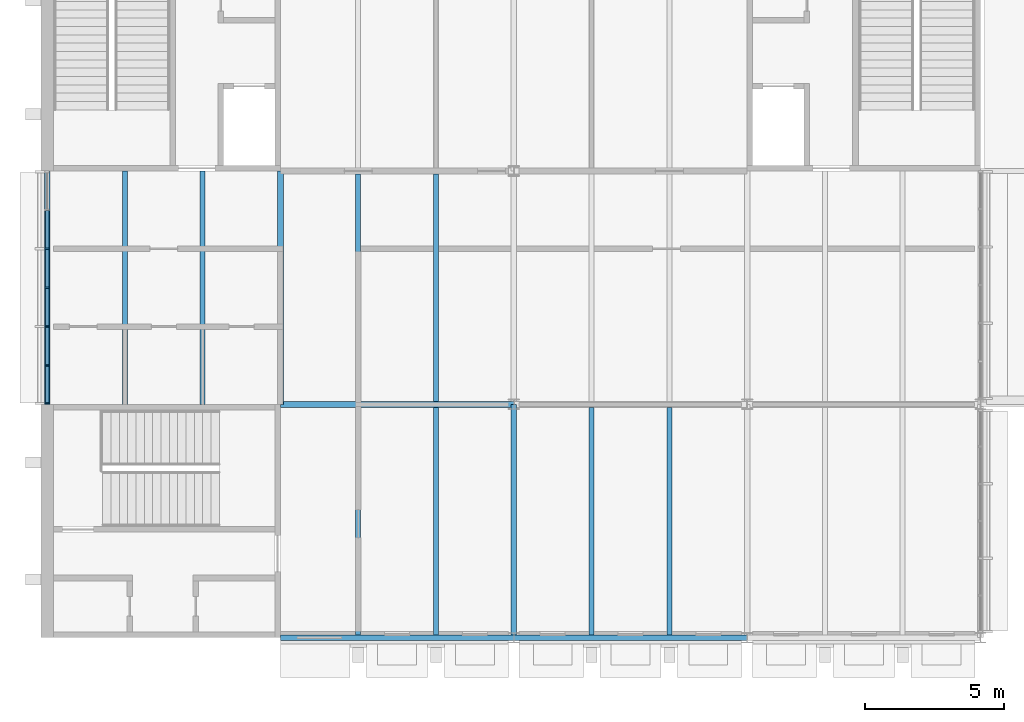
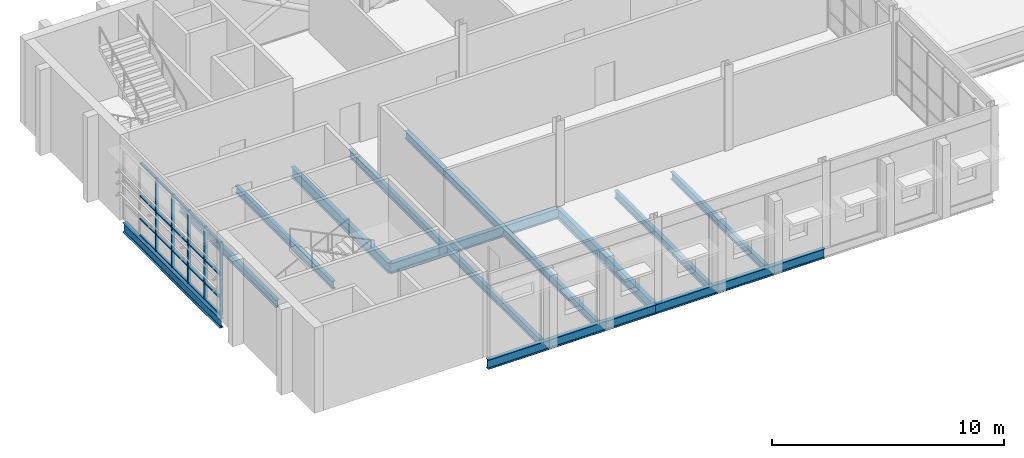
# One storey, part 3 of 29: 25 members, 14 beams, 1 element without a shape of its own.
"""IFC4 building model written with IfcOpenShell, lengths in metres."""

from ifc_helpers import new_model, si_unit, direction, frame, origin, origin_2d, place, context, subcontext, project, spatial, rectangle, i_section, extrude, material, layer, layer_set, material_profile, profile_set, type_object, element, aggregate, save


model = new_model("IFC4")

# Units and contexts
model_context = context("Model", 3, precision=1e-05, world=origin(), true_north=direction((0.0, 1.0)))
body_context = subcontext(model_context, "Body", "Model", "MODEL_VIEW")
ifc_project = project(units=[si_unit("LENGTHUNIT", "METRE"), si_unit("AREAUNIT", "SQUARE_METRE"), si_unit("VOLUMEUNIT", "CUBIC_METRE"), si_unit("PLANEANGLEUNIT", "RADIAN"), si_unit("MASSUNIT", "GRAM", prefix="KILO")], contexts=[model_context])

# Site, building, storey
site_placement = place(None, origin())
site = spatial("IfcSite", under=ifc_project, at=site_placement, CompositionType="ELEMENT")
building_placement = place(site_placement, origin())
building = spatial("IfcBuilding", under=site, at=building_placement, Name="Ardhachandra Cancer Care Centre", CompositionType="ELEMENT")
storey_placement = place(building_placement, frame((0.0, 0.0, 13.5)))
storey = spatial("IfcBuildingStorey", under=building, at=storey_placement, Name="L03", CompositionType="ELEMENT", Elevation=13.5)

# Beams
ifc_material_1 = material(Name="Steel E350 (IS 2062)", Category="steel")
ifc_material_profile_1 = material_profile(ifc_material_1, i_section(OverallWidth=0.179931640625, OverallDepth=0.39990234375, WebThickness=0.008544921875, FlangeThickness=0.013427734375, FilletRadius=0.02099609375, at=origin_2d()), Name="NPB 400x180x66.30")
ifc_profile_set_1 = profile_set([ifc_material_profile_1], Name="Steel E350 (IS 2062)")
beam_type_1 = type_object("IfcBeamType", Name="Beam NPB 400x180x66.30", PredefinedType="BEAM", material=ifc_profile_set_1)
for number, where, z_axis, x_axis, name in (
    (1, (13.60009765625, 79.800048828125, -0.35009765625), (0.0, 1.0, 0.0), (-1.0, 0.0, 0.0), "Secondary J1-K1@2800"),
    (2, (16.39990234375, 79.800048828125, -0.35009765625), (0.0, 1.0, 0.0), (-1.0, 0.0, 0.0), "Secondary J1-K1@5600"),
):
    element("IfcBeam", number, at=place(storey_placement, frame(where, z_axis=z_axis, x_axis=x_axis)), inside=storey, type_object=beam_type_1, Name=name, PredefinedType="BEAM", context=body_context, shape_type="SweptSolid", body=[
        extrude(i_section(OverallWidth=0.179931640625, OverallDepth=0.39990234375, WebThickness=0.008544921875, FlangeThickness=0.013427734375, FilletRadius=0.02099609375, at=origin_2d()), origin(), (0.0, 0.0, 1.0), 8.39990234375),
    ])
beam_1_placement = place(storey_placement, frame((22.0, 71.5, -0.35009765625), z_axis=(0.0, 1.0, 0.0), x_axis=(-1.0, 0.0, 0.0)))
element("IfcBeam", 3, at=beam_1_placement, inside=storey, type_object=beam_type_1, Name="Secondary H2-J2@2800", PredefinedType="BEAM", context=body_context, shape_type="SweptSolid", body=[
    extrude(i_section(OverallWidth=0.179931640625, OverallDepth=0.39990234375, WebThickness=0.008544921875, FlangeThickness=0.013427734375, FilletRadius=0.02099609375, at=origin_2d()), origin(), (0.0, 0.0, 1.0), 8.195068359375),
])
beam_2_placement = place(storey_placement, frame((22.0, 79.905029296875, -0.35009765625), z_axis=(0.0, 1.0, 0.0), x_axis=(-1.0, 0.0, 0.0)))
element("IfcBeam", 4, at=beam_2_placement, inside=storey, type_object=beam_type_1, Name="Secondary J2-K2@2800", PredefinedType="BEAM", context=body_context, shape_type="SweptSolid", body=[
    extrude(i_section(OverallWidth=0.179931640625, OverallDepth=0.39990234375, WebThickness=0.008544921875, FlangeThickness=0.013427734375, FilletRadius=0.02099609375, at=origin_2d()), origin(), (0.0, 0.0, 1.0), 8.18994140625),
])
beam_3_placement = place(storey_placement, frame((24.800048828125, 71.5, -0.35009765625), z_axis=(0.0, 1.0, 0.0), x_axis=(-1.0, 0.0, 0.0)))
element("IfcBeam", 5, at=beam_3_placement, inside=storey, type_object=beam_type_1, Name="Secondary H2-J2@5600", PredefinedType="BEAM", context=body_context, shape_type="SweptSolid", body=[
    extrude(i_section(OverallWidth=0.179931640625, OverallDepth=0.39990234375, WebThickness=0.008544921875, FlangeThickness=0.013427734375, FilletRadius=0.02099609375, at=origin_2d()), origin(), (0.0, 0.0, 1.0), 8.195068359375),
])
beam_4_placement = place(storey_placement, frame((24.800048828125, 79.905029296875, -0.35009765625), z_axis=(0.0, 1.0, 0.0), x_axis=(-1.0, 0.0, 0.0)))
element("IfcBeam", 6, at=beam_4_placement, inside=storey, type_object=beam_type_1, Name="Secondary J2-K2@5600", PredefinedType="BEAM", context=body_context, shape_type="SweptSolid", body=[
    extrude(i_section(OverallWidth=0.179931640625, OverallDepth=0.39990234375, WebThickness=0.008544921875, FlangeThickness=0.013427734375, FilletRadius=0.02099609375, at=origin_2d()), origin(), (0.0, 0.0, 1.0), 8.18994140625),
])
for number, where, z_axis, x_axis, name in (
    (7, (30.39990234375, 71.5, -0.35009765625), (0.0, 1.0, 0.0), (-1.0, 0.0, 0.0), "Secondary H3-J3@2800"),
    (8, (33.199951171875, 71.5, -0.35009765625), (0.0, 1.0, 0.0), (-1.0, 0.0, 0.0), "Secondary H3-J3@5600"),
):
    element("IfcBeam", number, at=place(storey_placement, frame(where, z_axis=z_axis, x_axis=x_axis)), inside=storey, type_object=beam_type_1, Name=name, PredefinedType="BEAM", context=body_context, shape_type="SweptSolid", body=[
        extrude(i_section(OverallWidth=0.179931640625, OverallDepth=0.39990234375, WebThickness=0.008544921875, FlangeThickness=0.013427734375, FilletRadius=0.02099609375, at=origin_2d()), origin(), (0.0, 0.0, 1.0), 8.195068359375),
    ])
ifc_material_2 = material(Name="Steel E350 (IS 2062)", Category="steel")
ifc_material_profile_2 = material_profile(ifc_material_2, i_section(OverallWidth=0.199951171875, OverallDepth=0.5, WebThickness=0.01025390625, FlangeThickness=0.01611328125, FilletRadius=0.02099609375, at=origin_2d()), Name="NPB 500x200x90.68")
ifc_profile_set_2 = profile_set([ifc_material_profile_2], Name="Steel E350 (IS 2062)")
beam_type_2 = type_object("IfcBeamType", Name="Beam NPB 500x200x90.68", PredefinedType="BEAM", material=ifc_profile_set_2)
beam_5_placement = place(storey_placement, frame((19.199951171875, 71.39990234375, -0.39990234375), z_axis=(1.0, 0.0, 0.0), x_axis=(0.0, 1.0, 0.0)))
element("IfcBeam", 9, at=beam_5_placement, inside=storey, type_object=beam_type_2, Name="Edge girder H2-H3", PredefinedType="BEAM", context=body_context, shape_type="SweptSolid", body=[
    extrude(i_section(OverallWidth=0.199951171875, OverallDepth=0.5, WebThickness=0.01025390625, FlangeThickness=0.01611328125, FilletRadius=0.02099609375, at=origin_2d()), origin(), (0.0, 0.0, 1.0), 8.400146484375),
])
for number, where, z_axis, x_axis, name in (
    (10, (27.60009765625, 71.39990234375, -0.39990234375), (1.0, 0.0, 0.0), (0.0, 1.0, 0.0), "Edge girder H3-H4"),
    (11, (10.800048828125, 79.800048828125, -0.39990234375), (0.0, 1.0, 0.0), (-1.0, 0.0, 0.0), "Edge girder J1-K1"),
):
    element("IfcBeam", number, at=place(storey_placement, frame(where, z_axis=z_axis, x_axis=x_axis)), inside=storey, type_object=beam_type_2, Name=name, PredefinedType="BEAM", context=body_context, shape_type="SweptSolid", body=[
        extrude(i_section(OverallWidth=0.199951171875, OverallDepth=0.5, WebThickness=0.01025390625, FlangeThickness=0.01611328125, FilletRadius=0.02099609375, at=origin_2d()), origin(), (0.0, 0.0, 1.0), 8.39990234375),
    ])
ifc_material_3 = material(Name="Steel E350 (IS 2062)", Category="steel")
ifc_material_profile_3 = material_profile(ifc_material_3, i_section(OverallWidth=0.2099609375, OverallDepth=0.550048828125, WebThickness=0.010986328125, FlangeThickness=0.01708984375, FilletRadius=0.02392578125, at=origin_2d()), Name="NPB 550x210x105.52")
ifc_profile_set_3 = profile_set([ifc_material_profile_3], Name="Steel E350 (IS 2062)")
beam_type_3 = type_object("IfcBeamType", Name="Beam NPB 550x210x105.52", PredefinedType="BEAM", material=ifc_profile_set_3)
beam_6_placement = place(storey_placement, frame((19.199951171875, 79.800048828125, -0.425048828125), z_axis=(1.0, 0.0, 0.0), x_axis=(0.0, 1.0, 0.0)))
element("IfcBeam", 12, at=beam_6_placement, inside=storey, type_object=beam_type_3, Name="Girder J2-J3", PredefinedType="BEAM", context=body_context, shape_type="SweptSolid", body=[
    extrude(i_section(OverallWidth=0.2099609375, OverallDepth=0.550048828125, WebThickness=0.010986328125, FlangeThickness=0.01708984375, FilletRadius=0.02392578125, at=origin_2d()), origin(), (0.0, 0.0, 1.0), 8.400146484375),
])
beam_7_placement = place(storey_placement, frame((19.199951171875, 79.800048828125, -0.425048828125), z_axis=(0.0, 1.0, 0.0), x_axis=(-1.0, 0.0, 0.0)))
element("IfcBeam", 13, at=beam_7_placement, inside=storey, type_object=beam_type_3, Name="Girder J2-K2", PredefinedType="BEAM", context=body_context, shape_type="SweptSolid", body=[
    extrude(i_section(OverallWidth=0.2099609375, OverallDepth=0.550048828125, WebThickness=0.010986328125, FlangeThickness=0.01708984375, FilletRadius=0.02392578125, at=origin_2d()), origin(), (0.0, 0.0, 1.0), 8.39990234375),
])
beam_8_placement = place(storey_placement, frame((27.60009765625, 71.39990234375, -0.425048828125), z_axis=(0.0, 1.0, 0.0), x_axis=(-1.0, 0.0, 0.0)))
element("IfcBeam", 14, at=beam_8_placement, inside=storey, type_object=beam_type_3, Name="Girder H3-J3", PredefinedType="BEAM", context=body_context, shape_type="SweptSolid", body=[
    extrude(i_section(OverallWidth=0.2099609375, OverallDepth=0.550048828125, WebThickness=0.010986328125, FlangeThickness=0.01708984375, FilletRadius=0.02392578125, at=origin_2d()), origin(), (0.0, 0.0, 1.0), 8.400146484375),
])

# Curtain wall, members
ifc_material_4 = material(Name="Aluminium extrusion", Category="aluminium")
ifc_layer = layer(ifc_material_4, 0.14990234375)
ifc_layer_set = layer_set([ifc_layer], Name="Aluminium extrusion")
curtain_wall_type = type_object("IfcCurtainWallType", Name="Curtain wall run", PredefinedType="NOTDEFINED", material=ifc_layer_set)
curtain_wall_placement = place(storey_placement, origin())
curtain_wall = element("IfcCurtainWall", 15, at=curtain_wall_placement, inside=storey, type_object=curtain_wall_type, Name="Curtain wall L03 w/0010800_0079800", PredefinedType="NOTDEFINED")
ifc_material_5 = material(Name="Aluminium extrusion", Category="aluminium")
ifc_material_profile_4 = material_profile(ifc_material_5, rectangle(XDim=0.159912109375, YDim=0.06005859375, at=origin_2d()), Name="Curtain wall mullion 60 x 160")
ifc_profile_set_4 = profile_set([ifc_material_profile_4], Name="Aluminium extrusion")
member_type_1 = type_object("IfcMemberType", Name="Curtain wall mullion 60 x 160", PredefinedType="MULLION", material=ifc_profile_set_4)
member_1_placement = place(storey_placement, frame((10.800048828125, 79.830078125, 0.0), z_axis=(0.0, 0.0, 1.0), x_axis=(-1.0, 0.0, 0.0)))
member_1 = element("IfcMember", 16, at=member_1_placement, type_object=member_type_1, Name="CW mullion 1", PredefinedType="MULLION", context=body_context, shape_type="SweptSolid", body=[
    extrude(rectangle(XDim=0.159912109375, YDim=0.06005859375, at=origin_2d()), origin(), (0.0, 0.0, 1.0), 3.85009765625),
])
member_2_placement = place(storey_placement, frame((10.800048828125, 81.199951171875, 0.0), z_axis=(0.0, 0.0, 1.0), x_axis=(-1.0, 0.0, 0.0)))
member_2 = element("IfcMember", 17, at=member_2_placement, type_object=member_type_1, Name="CW mullion 2", PredefinedType="MULLION", context=body_context, shape_type="SweptSolid", body=[
    extrude(rectangle(XDim=0.159912109375, YDim=0.06005859375, at=origin_2d()), origin(), (0.0, 0.0, 1.0), 3.85009765625),
])
member_3_placement = place(storey_placement, frame((10.800048828125, 82.60009765625, 0.0), z_axis=(0.0, 0.0, 1.0), x_axis=(-1.0, 0.0, 0.0)))
member_3 = element("IfcMember", 18, at=member_3_placement, type_object=member_type_1, Name="CW mullion 3", PredefinedType="MULLION", context=body_context, shape_type="SweptSolid", body=[
    extrude(rectangle(XDim=0.159912109375, YDim=0.06005859375, at=origin_2d()), origin(), (0.0, 0.0, 1.0), 3.85009765625),
])
member_4_placement = place(storey_placement, frame((10.800048828125, 84.0, 0.0), z_axis=(0.0, 0.0, 1.0), x_axis=(-1.0, 0.0, 0.0)))
member_4 = element("IfcMember", 19, at=member_4_placement, type_object=member_type_1, Name="CW mullion 4", PredefinedType="MULLION", context=body_context, shape_type="SweptSolid", body=[
    extrude(rectangle(XDim=0.159912109375, YDim=0.06005859375, at=origin_2d()), origin(), (0.0, 0.0, 1.0), 3.85009765625),
])
member_5_placement = place(storey_placement, frame((10.800048828125, 85.39990234375, 0.0), z_axis=(0.0, 0.0, 1.0), x_axis=(-1.0, 0.0, 0.0)))
member_5 = element("IfcMember", 20, at=member_5_placement, type_object=member_type_1, Name="CW mullion 5", PredefinedType="MULLION", context=body_context, shape_type="SweptSolid", body=[
    extrude(rectangle(XDim=0.159912109375, YDim=0.06005859375, at=origin_2d()), origin(), (0.0, 0.0, 1.0), 3.85009765625),
])
ifc_material_6 = material(Name="Aluminium extrusion", Category="aluminium")
ifc_material_profile_5 = material_profile(ifc_material_6, rectangle(XDim=0.1201171875, YDim=0.06005859375, at=origin_2d()), Name="Curtain wall transom 60 x 120")
ifc_profile_set_5 = profile_set([ifc_material_profile_5], Name="Aluminium extrusion")
member_type_2 = type_object("IfcMemberType", Name="Curtain wall transom 60 x 120", PredefinedType="USERDEFINED", material=ifc_profile_set_5)
member_6_placement = place(storey_placement, frame((10.800048828125, 79.860107421875, 0.030029296875), z_axis=(0.0, 1.0, 0.0), x_axis=(-1.0, 0.0, 0.0)))
member_6 = element("IfcMember", 21, at=member_6_placement, type_object=member_type_2, Name="CW transom 1.1", ObjectType="TRANSOM", PredefinedType="USERDEFINED", context=body_context, shape_type="SweptSolid", body=[
    extrude(rectangle(XDim=0.1201171875, YDim=0.06005859375, at=origin_2d()), origin(), (0.0, 0.0, 1.0), 1.309814453125),
])
member_7_placement = place(storey_placement, frame((10.800048828125, 79.860107421875, 0.89990234375), z_axis=(0.0, 1.0, 0.0), x_axis=(-1.0, 0.0, 0.0)))
member_7 = element("IfcMember", 22, at=member_7_placement, type_object=member_type_2, Name="CW transom 1.2", ObjectType="TRANSOM", PredefinedType="USERDEFINED", context=body_context, shape_type="SweptSolid", body=[
    extrude(rectangle(XDim=0.1201171875, YDim=0.06005859375, at=origin_2d()), origin(), (0.0, 0.0, 1.0), 1.309814453125),
])
member_8_placement = place(storey_placement, frame((10.800048828125, 79.860107421875, 2.10009765625), z_axis=(0.0, 1.0, 0.0), x_axis=(-1.0, 0.0, 0.0)))
member_8 = element("IfcMember", 23, at=member_8_placement, type_object=member_type_2, Name="CW transom 1.3", ObjectType="TRANSOM", PredefinedType="USERDEFINED", context=body_context, shape_type="SweptSolid", body=[
    extrude(rectangle(XDim=0.1201171875, YDim=0.06005859375, at=origin_2d()), origin(), (0.0, 0.0, 1.0), 1.309814453125),
])
member_9_placement = place(storey_placement, frame((10.800048828125, 79.860107421875, 3.820068359375), z_axis=(0.0, 1.0, 0.0), x_axis=(-1.0, 0.0, 0.0)))
member_9 = element("IfcMember", 24, at=member_9_placement, type_object=member_type_2, Name="CW transom 1.4", ObjectType="TRANSOM", PredefinedType="USERDEFINED", context=body_context, shape_type="SweptSolid", body=[
    extrude(rectangle(XDim=0.1201171875, YDim=0.06005859375, at=origin_2d()), origin(), (0.0, 0.0, 1.0), 1.309814453125),
])
member_10_placement = place(storey_placement, frame((10.800048828125, 81.22998046875, 0.030029296875), z_axis=(0.0, 1.0, 0.0), x_axis=(-1.0, 0.0, 0.0)))
member_10 = element("IfcMember", 25, at=member_10_placement, type_object=member_type_2, Name="CW transom 2.1", ObjectType="TRANSOM", PredefinedType="USERDEFINED", context=body_context, shape_type="SweptSolid", body=[
    extrude(rectangle(XDim=0.1201171875, YDim=0.06005859375, at=origin_2d()), origin(), (0.0, 0.0, 1.0), 1.340087890625),
])
member_11_placement = place(storey_placement, frame((10.800048828125, 81.22998046875, 0.89990234375), z_axis=(0.0, 1.0, 0.0), x_axis=(-1.0, 0.0, 0.0)))
member_11 = element("IfcMember", 26, at=member_11_placement, type_object=member_type_2, Name="CW transom 2.2", ObjectType="TRANSOM", PredefinedType="USERDEFINED", context=body_context, shape_type="SweptSolid", body=[
    extrude(rectangle(XDim=0.1201171875, YDim=0.06005859375, at=origin_2d()), origin(), (0.0, 0.0, 1.0), 1.340087890625),
])
member_12_placement = place(storey_placement, frame((10.800048828125, 81.22998046875, 2.10009765625), z_axis=(0.0, 1.0, 0.0), x_axis=(-1.0, 0.0, 0.0)))
member_12 = element("IfcMember", 27, at=member_12_placement, type_object=member_type_2, Name="CW transom 2.3", ObjectType="TRANSOM", PredefinedType="USERDEFINED", context=body_context, shape_type="SweptSolid", body=[
    extrude(rectangle(XDim=0.1201171875, YDim=0.06005859375, at=origin_2d()), origin(), (0.0, 0.0, 1.0), 1.340087890625),
])
member_13_placement = place(storey_placement, frame((10.800048828125, 81.22998046875, 3.820068359375), z_axis=(0.0, 1.0, 0.0), x_axis=(-1.0, 0.0, 0.0)))
member_13 = element("IfcMember", 28, at=member_13_placement, type_object=member_type_2, Name="CW transom 2.4", ObjectType="TRANSOM", PredefinedType="USERDEFINED", context=body_context, shape_type="SweptSolid", body=[
    extrude(rectangle(XDim=0.1201171875, YDim=0.06005859375, at=origin_2d()), origin(), (0.0, 0.0, 1.0), 1.340087890625),
])
member_14_placement = place(storey_placement, frame((10.800048828125, 82.6298828125, 0.030029296875), z_axis=(0.0, 1.0, 0.0), x_axis=(-1.0, 0.0, 0.0)))
member_14 = element("IfcMember", 29, at=member_14_placement, type_object=member_type_2, Name="CW transom 3.1", ObjectType="TRANSOM", PredefinedType="USERDEFINED", context=body_context, shape_type="SweptSolid", body=[
    extrude(rectangle(XDim=0.1201171875, YDim=0.06005859375, at=origin_2d()), origin(), (0.0, 0.0, 1.0), 1.340087890625),
])
member_15_placement = place(storey_placement, frame((10.800048828125, 82.6298828125, 0.89990234375), z_axis=(0.0, 1.0, 0.0), x_axis=(-1.0, 0.0, 0.0)))
member_15 = element("IfcMember", 30, at=member_15_placement, type_object=member_type_2, Name="CW transom 3.2", ObjectType="TRANSOM", PredefinedType="USERDEFINED", context=body_context, shape_type="SweptSolid", body=[
    extrude(rectangle(XDim=0.1201171875, YDim=0.06005859375, at=origin_2d()), origin(), (0.0, 0.0, 1.0), 1.340087890625),
])
member_16_placement = place(storey_placement, frame((10.800048828125, 82.6298828125, 2.10009765625), z_axis=(0.0, 1.0, 0.0), x_axis=(-1.0, 0.0, 0.0)))
member_16 = element("IfcMember", 31, at=member_16_placement, type_object=member_type_2, Name="CW transom 3.3", ObjectType="TRANSOM", PredefinedType="USERDEFINED", context=body_context, shape_type="SweptSolid", body=[
    extrude(rectangle(XDim=0.1201171875, YDim=0.06005859375, at=origin_2d()), origin(), (0.0, 0.0, 1.0), 1.340087890625),
])
member_17_placement = place(storey_placement, frame((10.800048828125, 82.6298828125, 3.820068359375), z_axis=(0.0, 1.0, 0.0), x_axis=(-1.0, 0.0, 0.0)))
member_17 = element("IfcMember", 32, at=member_17_placement, type_object=member_type_2, Name="CW transom 3.4", ObjectType="TRANSOM", PredefinedType="USERDEFINED", context=body_context, shape_type="SweptSolid", body=[
    extrude(rectangle(XDim=0.1201171875, YDim=0.06005859375, at=origin_2d()), origin(), (0.0, 0.0, 1.0), 1.340087890625),
])
member_18_placement = place(storey_placement, frame((10.800048828125, 84.030029296875, 0.030029296875), z_axis=(0.0, 1.0, 0.0), x_axis=(-1.0, 0.0, 0.0)))
member_18 = element("IfcMember", 33, at=member_18_placement, type_object=member_type_2, Name="CW transom 4.1", ObjectType="TRANSOM", PredefinedType="USERDEFINED", context=body_context, shape_type="SweptSolid", body=[
    extrude(rectangle(XDim=0.1201171875, YDim=0.06005859375, at=origin_2d()), origin(), (0.0, 0.0, 1.0), 1.340087890625),
])
member_19_placement = place(storey_placement, frame((10.800048828125, 84.030029296875, 0.89990234375), z_axis=(0.0, 1.0, 0.0), x_axis=(-1.0, 0.0, 0.0)))
member_19 = element("IfcMember", 34, at=member_19_placement, type_object=member_type_2, Name="CW transom 4.2", ObjectType="TRANSOM", PredefinedType="USERDEFINED", context=body_context, shape_type="SweptSolid", body=[
    extrude(rectangle(XDim=0.1201171875, YDim=0.06005859375, at=origin_2d()), origin(), (0.0, 0.0, 1.0), 1.340087890625),
])
member_20_placement = place(storey_placement, frame((10.800048828125, 84.030029296875, 2.10009765625), z_axis=(0.0, 1.0, 0.0), x_axis=(-1.0, 0.0, 0.0)))
member_20 = element("IfcMember", 35, at=member_20_placement, type_object=member_type_2, Name="CW transom 4.3", ObjectType="TRANSOM", PredefinedType="USERDEFINED", context=body_context, shape_type="SweptSolid", body=[
    extrude(rectangle(XDim=0.1201171875, YDim=0.06005859375, at=origin_2d()), origin(), (0.0, 0.0, 1.0), 1.340087890625),
])
member_21_placement = place(storey_placement, frame((10.800048828125, 84.030029296875, 3.820068359375), z_axis=(0.0, 1.0, 0.0), x_axis=(-1.0, 0.0, 0.0)))
member_21 = element("IfcMember", 36, at=member_21_placement, type_object=member_type_2, Name="CW transom 4.4", ObjectType="TRANSOM", PredefinedType="USERDEFINED", context=body_context, shape_type="SweptSolid", body=[
    extrude(rectangle(XDim=0.1201171875, YDim=0.06005859375, at=origin_2d()), origin(), (0.0, 0.0, 1.0), 1.340087890625),
])
member_22_placement = place(storey_placement, frame((10.800048828125, 85.429931640625, 0.030029296875), z_axis=(0.0, 1.0, 0.0), x_axis=(-1.0, 0.0, 0.0)))
member_22 = element("IfcMember", 37, at=member_22_placement, type_object=member_type_2, Name="CW transom 5.1", ObjectType="TRANSOM", PredefinedType="USERDEFINED", context=body_context, shape_type="SweptSolid", body=[
    extrude(rectangle(XDim=0.1201171875, YDim=0.06005859375, at=origin_2d()), origin(), (0.0, 0.0, 1.0), 1.340087890625),
])
member_23_placement = place(storey_placement, frame((10.800048828125, 85.429931640625, 0.89990234375), z_axis=(0.0, 1.0, 0.0), x_axis=(-1.0, 0.0, 0.0)))
member_23 = element("IfcMember", 38, at=member_23_placement, type_object=member_type_2, Name="CW transom 5.2", ObjectType="TRANSOM", PredefinedType="USERDEFINED", context=body_context, shape_type="SweptSolid", body=[
    extrude(rectangle(XDim=0.1201171875, YDim=0.06005859375, at=origin_2d()), origin(), (0.0, 0.0, 1.0), 1.340087890625),
])
member_24_placement = place(storey_placement, frame((10.800048828125, 85.429931640625, 2.10009765625), z_axis=(0.0, 1.0, 0.0), x_axis=(-1.0, 0.0, 0.0)))
member_24 = element("IfcMember", 39, at=member_24_placement, type_object=member_type_2, Name="CW transom 5.3", ObjectType="TRANSOM", PredefinedType="USERDEFINED", context=body_context, shape_type="SweptSolid", body=[
    extrude(rectangle(XDim=0.1201171875, YDim=0.06005859375, at=origin_2d()), origin(), (0.0, 0.0, 1.0), 1.340087890625),
])
member_25_placement = place(storey_placement, frame((10.800048828125, 85.429931640625, 3.820068359375), z_axis=(0.0, 1.0, 0.0), x_axis=(-1.0, 0.0, 0.0)))
member_25 = element("IfcMember", 40, at=member_25_placement, type_object=member_type_2, Name="CW transom 5.4", ObjectType="TRANSOM", PredefinedType="USERDEFINED", context=body_context, shape_type="SweptSolid", body=[
    extrude(rectangle(XDim=0.1201171875, YDim=0.06005859375, at=origin_2d()), origin(), (0.0, 0.0, 1.0), 1.340087890625),
])
aggregate(curtain_wall, [member_1, member_2, member_3, member_4, member_5, member_6, member_7, member_8, member_9, member_10, member_11, member_12, member_13, member_14, member_15, member_16, member_17, member_18, member_19, member_20, member_21, member_22, member_23, member_24, member_25])

save(model, "model.ifc")
